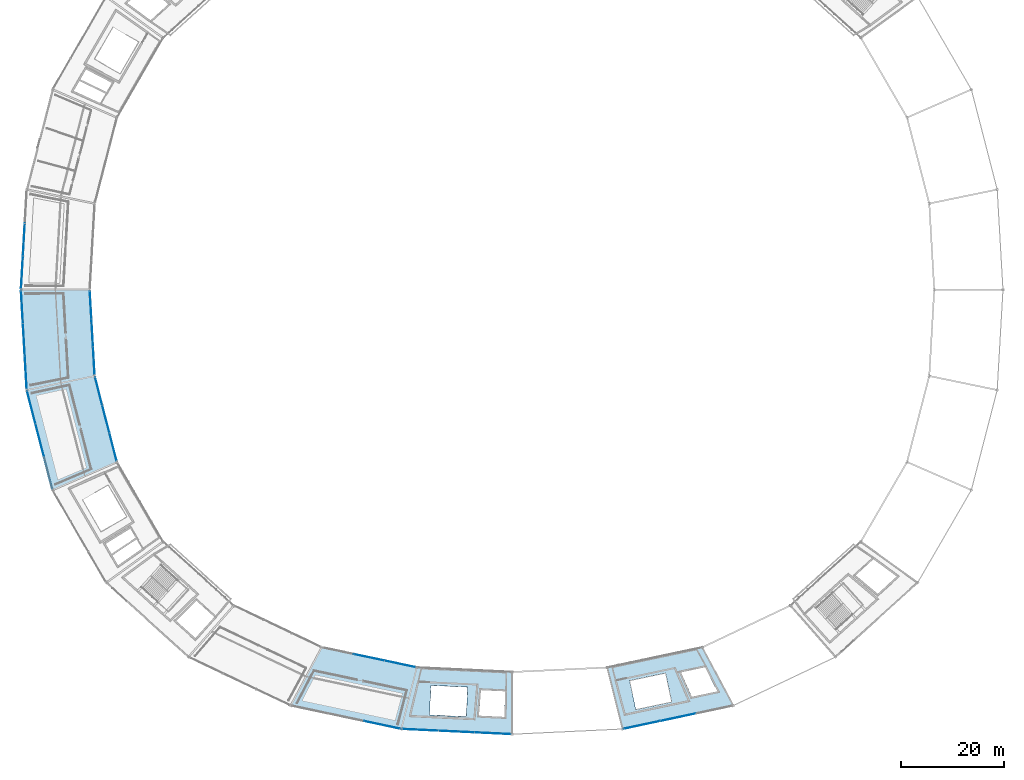
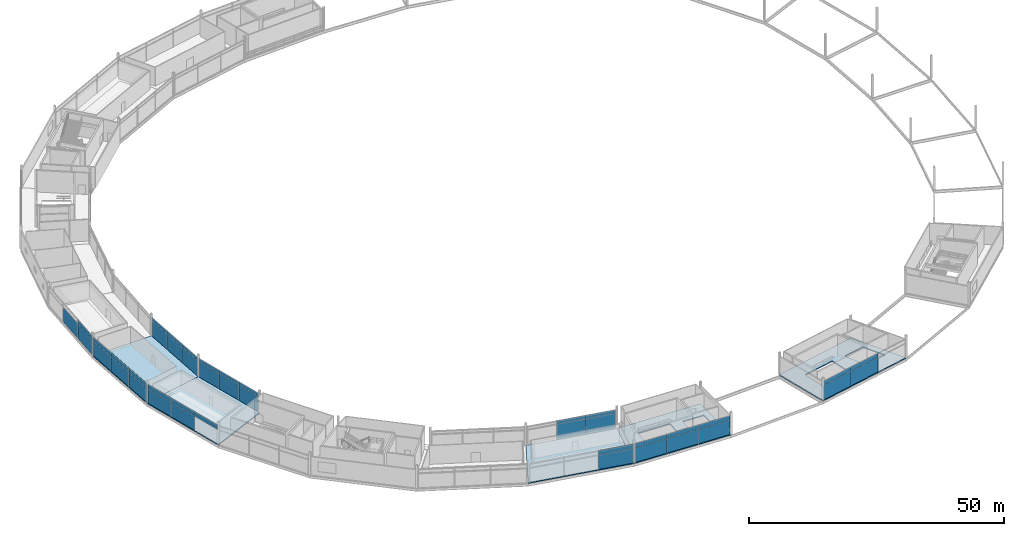
# One storey, part 64 of 86: 42 plates, 5 slabs, 9 elements without a shape of their own.
"""IFC4 building model written with IfcOpenShell, lengths in metres."""

from ifc_helpers import new_model, si_unit, direction, frame, origin, origin_2d, place, context, subcontext, project, spatial, polyline, rectangle, outline, extrude, material, layer, layer_set, type_object, element, aggregate, save


model = new_model("IFC4")

# Units and contexts
model_context = context("Model", 3, precision=1e-05, world=origin(), true_north=direction((0.0, 1.0)))
body_context = subcontext(model_context, "Body", "Model", "MODEL_VIEW")
ifc_project = project(units=[si_unit("LENGTHUNIT", "METRE"), si_unit("AREAUNIT", "SQUARE_METRE"), si_unit("VOLUMEUNIT", "CUBIC_METRE"), si_unit("PLANEANGLEUNIT", "RADIAN"), si_unit("MASSUNIT", "GRAM", prefix="KILO")], contexts=[model_context])

# Site, building, storey
site_placement = place(None, origin())
site = spatial("IfcSite", under=ifc_project, at=site_placement, CompositionType="ELEMENT")
building_placement = place(site_placement, origin())
building = spatial("IfcBuilding", under=site, at=building_placement, Name="Kazemori Nagisa Stadium", CompositionType="ELEMENT")
storey_placement = place(building_placement, frame((0.0, 0.0, 31.280029296875)))
storey = spatial("IfcBuildingStorey", under=building, at=storey_placement, Name="L06", CompositionType="ELEMENT", Elevation=31.280029296875)

# Curtain wall, plates
ifc_material_1 = material(Name="Anodised aluminium 6063-T5", Category="aluminium")
ifc_layer_1 = layer(ifc_material_1, 0.239990234375, Name="Anodised aluminium 6063-T5", Category="aluminium")
ifc_layer_set_1 = layer_set([ifc_layer_1], Name="Anodised aluminium 6063-T5")
curtain_wall_type_1 = type_object("IfcCurtainWallType", Name="CW_L06G_81", PredefinedType="USERDEFINED", material=ifc_layer_set_1)
curtain_wall_1_placement = place(storey_placement, origin())
curtain_wall_1 = element("IfcCurtainWall", 1, at=curtain_wall_1_placement, inside=storey, type_object=curtain_wall_type_1, Name="Unitised curtain wall CW-L06G-81 L06", ObjectType="UNITISED CURTAIN WALL", PredefinedType="USERDEFINED")
ifc_material_2 = material(Name="Anodised aluminium spandrel sheet", Category="aluminium")
ifc_layer_2 = layer(ifc_material_2, 0.050048828125, Name="Anodised aluminium spandrel sheet", Category="aluminium")
ifc_layer_set_2 = layer_set([ifc_layer_2], Name="Anodised aluminium spandrel sheet")
plate_type_1 = type_object("IfcPlateType", Name="CWPanel_SPN_L06G_81", PredefinedType="CURTAIN_PANEL", material=ifc_layer_set_2)
plate_1_placement = place(storey_placement, frame((41.471435546875, 99.030029296875, 3.6982421875), z_axis=(0.0, 0.0, 1.0), x_axis=(0.057601670941, -0.998339645364, 0.0)))
plate_1 = element("IfcPlate", 2, at=plate_1_placement, type_object=plate_type_1, Name="Curtain wall spandrel panel CW-L06G-81-S1", PredefinedType="CURTAIN_PANEL", context=body_context, shape_type="SweptSolid", body=[
    extrude(rectangle(XDim=5.35595703125, YDim=0.050048828125, at=origin_2d()), origin(), (0.0, 0.0, 1.0), 0.811767578125),
])
plate_2_placement = place(storey_placement, frame((41.78125, 93.658935546875, 3.6982421875), z_axis=(0.0, 0.0, 1.0), x_axis=(0.057601670941, -0.998339645364, 0.0)))
plate_2 = element("IfcPlate", 3, at=plate_2_placement, type_object=plate_type_1, Name="Curtain wall spandrel panel CW-L06G-81-S2", PredefinedType="CURTAIN_PANEL", context=body_context, shape_type="SweptSolid", body=[
    extrude(rectangle(XDim=5.35595703125, YDim=0.050048828125, at=origin_2d()), origin(), (0.0, 0.0, 1.0), 0.811767578125),
])
plate_3_placement = place(storey_placement, frame((42.091064453125, 88.2880859375, 3.6982421875), z_axis=(0.0, 0.0, 1.0), x_axis=(0.057601670941, -0.998339645364, 0.0)))
plate_3 = element("IfcPlate", 4, at=plate_3_placement, type_object=plate_type_1, Name="Curtain wall spandrel panel CW-L06G-81-S3", PredefinedType="CURTAIN_PANEL", context=body_context, shape_type="SweptSolid", body=[
    extrude(rectangle(XDim=5.35595703125, YDim=0.050048828125, at=origin_2d()), origin(), (0.0, 0.0, 1.0), 0.811767578125),
])

ifc_layer_3 = layer(ifc_material_1, 0.239990234375, Name="Anodised aluminium 6063-T5", Category="aluminium")
ifc_layer_set_3 = layer_set([ifc_layer_3], Name="Anodised aluminium 6063-T5")
curtain_wall_type_2 = type_object("IfcCurtainWallType", Name="CW_L06G_83", PredefinedType="USERDEFINED", material=ifc_layer_set_3)
curtain_wall_2_placement = place(storey_placement, origin())
curtain_wall_2 = element("IfcCurtainWall", 5, at=curtain_wall_2_placement, inside=storey, type_object=curtain_wall_type_2, Name="Unitised curtain wall CW-L06G-83 L06", ObjectType="UNITISED CURTAIN WALL", PredefinedType="USERDEFINED")
ifc_layer_4 = layer(ifc_material_2, 0.050048828125, Name="Anodised aluminium spandrel sheet", Category="aluminium")
ifc_layer_set_4 = layer_set([ifc_layer_4], Name="Anodised aluminium spandrel sheet")
plate_type_2 = type_object("IfcPlateType", Name="CWPanel_SPN_L06G_83", PredefinedType="CURTAIN_PANEL", material=ifc_layer_set_4)
plate_4_placement = place(storey_placement, frame((43.026123046875, 82.3603515625, 3.6982421875), z_axis=(0.0, 0.0, 1.0), x_axis=(0.249964642418, -0.968254965152, 0.0)))
plate_4 = element("IfcPlate", 6, at=plate_4_placement, type_object=plate_type_2, Name="Curtain wall spandrel panel CW-L06G-83-S1", PredefinedType="CURTAIN_PANEL", context=body_context, shape_type="SweptSolid", body=[
    extrude(rectangle(XDim=5.515380859375, YDim=0.050048828125, at=origin_2d()), origin(), (0.0, 0.0, 1.0), 0.811767578125),
])
plate_5_placement = place(storey_placement, frame((44.41064453125, 76.99658203125, 3.6982421875), z_axis=(0.0, 0.0, 1.0), x_axis=(0.249964642418, -0.968254965152, 0.0)))
plate_5 = element("IfcPlate", 7, at=plate_5_placement, type_object=plate_type_2, Name="Curtain wall spandrel panel CW-L06G-83-S2", PredefinedType="CURTAIN_PANEL", context=body_context, shape_type="SweptSolid", body=[
    extrude(rectangle(XDim=5.515380859375, YDim=0.050048828125, at=origin_2d()), origin(), (0.0, 0.0, 1.0), 0.811767578125),
])
plate_6_placement = place(storey_placement, frame((45.79541015625, 71.633056640625, 3.6982421875), z_axis=(0.0, 0.0, 1.0), x_axis=(0.249964642418, -0.968254965152, 0.0)))
plate_6 = element("IfcPlate", 8, at=plate_6_placement, type_object=plate_type_2, Name="Curtain wall spandrel panel CW-L06G-83-S3", PredefinedType="CURTAIN_PANEL", context=body_context, shape_type="SweptSolid", body=[
    extrude(rectangle(XDim=5.515380859375, YDim=0.050048828125, at=origin_2d()), origin(), (0.0, 0.0, 1.0), 0.811767578125),
])

ifc_layer_5 = layer(ifc_material_1, 0.239990234375, Name="Anodised aluminium 6063-T5", Category="aluminium")
ifc_layer_set_5 = layer_set([ifc_layer_5], Name="Anodised aluminium 6063-T5")
curtain_wall_type_3 = type_object("IfcCurtainWallType", Name="CW_L06G_91", PredefinedType="USERDEFINED", material=ifc_layer_set_5)
curtain_wall_3_placement = place(storey_placement, origin())
curtain_wall_3 = element("IfcCurtainWall", 9, at=curtain_wall_3_placement, inside=storey, type_object=curtain_wall_type_3, Name="Unitised curtain wall CW-L06G-91 L06", ObjectType="UNITISED CURTAIN WALL", PredefinedType="USERDEFINED")
ifc_layer_6 = layer(ifc_material_2, 0.050048828125, Name="Anodised aluminium spandrel sheet", Category="aluminium")
ifc_layer_set_6 = layer_set([ifc_layer_6], Name="Anodised aluminium spandrel sheet")
plate_type_3 = type_object("IfcPlateType", Name="CWPanel_SPN_L06G_91", PredefinedType="CURTAIN_PANEL", material=ifc_layer_set_6)
plate_7_placement = place(storey_placement, frame((95.380126953125, 30.85595703125, 3.6982421875), z_axis=(0.0, 0.0, 1.0), x_axis=(0.978344955407, -0.206981033502, 0.0)))
plate_7 = element("IfcPlate", 10, at=plate_7_placement, type_object=plate_type_3, Name="Curtain wall spandrel panel CW-L06G-91-S2", PredefinedType="CURTAIN_PANEL", context=body_context, shape_type="SweptSolid", body=[
    extrude(rectangle(XDim=6.049560546875, YDim=0.050048828125, at=origin_2d()), origin(), (0.0, 0.0, 1.0), 0.811767578125),
])
plate_8_placement = place(storey_placement, frame((101.322265625, 29.598876953125, 3.6982421875), z_axis=(0.0, 0.0, 1.0), x_axis=(0.978344955407, -0.206981033502, 0.0)))
plate_8 = element("IfcPlate", 11, at=plate_8_placement, type_object=plate_type_3, Name="Curtain wall spandrel panel CW-L06G-91-S3", PredefinedType="CURTAIN_PANEL", context=body_context, shape_type="SweptSolid", body=[
    extrude(rectangle(XDim=6.049560546875, YDim=0.050048828125, at=origin_2d()), origin(), (0.0, 0.0, 1.0), 0.811767578125),
])

ifc_layer_7 = layer(ifc_material_1, 0.239990234375, Name="Anodised aluminium 6063-T5", Category="aluminium")
ifc_layer_set_7 = layer_set([ifc_layer_7], Name="Anodised aluminium 6063-T5")
curtain_wall_type_4 = type_object("IfcCurtainWallType", Name="CW_L06R3_105", PredefinedType="USERDEFINED", material=ifc_layer_set_7)
curtain_wall_4_placement = place(storey_placement, origin())
curtain_wall_4 = element("IfcCurtainWall", 12, at=curtain_wall_4_placement, inside=storey, type_object=curtain_wall_type_4, Name="Unitised curtain wall CW-L06R3-105 L06", ObjectType="UNITISED CURTAIN WALL", PredefinedType="USERDEFINED")
ifc_layer_8 = layer(ifc_material_2, 0.053955078125, Name="Anodised aluminium spandrel sheet", Category="aluminium")
ifc_layer_set_8 = layer_set([ifc_layer_8], Name="Anodised aluminium spandrel sheet")
plate_type_4 = type_object("IfcPlateType", Name="CWPanel_SPN_L06R3_105", PredefinedType="CURTAIN_PANEL", material=ifc_layer_set_8)
plate_9_placement = place(storey_placement, frame((105.300048828125, 16.8369140625, 3.47265625), z_axis=(0.0, 0.0, 1.0), x_axis=(0.998884022476, -0.047230388971, 0.0)))
plate_9 = element("IfcPlate", 13, at=plate_9_placement, type_object=plate_type_4, Name="Curtain wall spandrel panel CW-L06R3-105-S1", PredefinedType="CURTAIN_PANEL", context=body_context, shape_type="SweptSolid", body=[
    extrude(rectangle(XDim=6.969970703125, YDim=0.053955078125, at=origin_2d()), origin(), (0.0, 0.0, 1.0), 1.037353515625),
])
plate_10_placement = place(storey_placement, frame((112.2861328125, 16.506591796875, 3.47265625), z_axis=(0.0, 0.0, 1.0), x_axis=(0.998884022476, -0.047230388971, 0.0)))
plate_10 = element("IfcPlate", 14, at=plate_10_placement, type_object=plate_type_4, Name="Curtain wall spandrel panel CW-L06R3-105-S2", PredefinedType="CURTAIN_PANEL", context=body_context, shape_type="SweptSolid", body=[
    extrude(rectangle(XDim=6.969970703125, YDim=0.053955078125, at=origin_2d()), origin(), (0.0, 0.0, 1.0), 1.037353515625),
])
plate_11_placement = place(storey_placement, frame((119.272216796875, 16.17626953125, 3.47265625), z_axis=(0.0, 0.0, 1.0), x_axis=(0.998884022476, -0.047230388971, 0.0)))
plate_11 = element("IfcPlate", 15, at=plate_11_placement, type_object=plate_type_4, Name="Curtain wall spandrel panel CW-L06R3-105-S3", PredefinedType="CURTAIN_PANEL", context=body_context, shape_type="SweptSolid", body=[
    extrude(rectangle(XDim=6.969970703125, YDim=0.053955078125, at=origin_2d()), origin(), (0.0, 0.0, 1.0), 1.037353515625),
])

# Curtain wall, plate
ifc_layer_9 = layer(ifc_material_1, 0.239990234375, Name="Anodised aluminium 6063-T5", Category="aluminium")
ifc_layer_set_9 = layer_set([ifc_layer_9], Name="Anodised aluminium 6063-T5")
curtain_wall_type_5 = type_object("IfcCurtainWallType", Name="CW_L06R3_107", PredefinedType="USERDEFINED", material=ifc_layer_set_9)
curtain_wall_5_placement = place(storey_placement, origin())
curtain_wall_5 = element("IfcCurtainWall", 16, at=curtain_wall_5_placement, inside=storey, type_object=curtain_wall_type_5, Name="Unitised curtain wall CW-L06R3-107 L06", ObjectType="UNITISED CURTAIN WALL", PredefinedType="USERDEFINED")
ifc_layer_10 = layer(ifc_material_2, 0.053955078125, Name="Anodised aluminium spandrel sheet", Category="aluminium")
ifc_layer_set_10 = layer_set([ifc_layer_10], Name="Anodised aluminium spandrel sheet")
plate_type_5 = type_object("IfcPlateType", Name="CWPanel_SPN_L06R3_107", PredefinedType="CURTAIN_PANEL", material=ifc_layer_set_10)
plate_12_placement = place(storey_placement, frame((97.856201171875, 17.79931640625, 3.47265625), z_axis=(0.0, 0.0, 1.0), x_axis=(0.978344955407, -0.206981033502, 0.0)))
plate_12 = element("IfcPlate", 17, at=plate_12_placement, type_object=plate_type_5, Name="Curtain wall spandrel panel CW-L06R3-107-S3", PredefinedType="CURTAIN_PANEL", context=body_context, shape_type="SweptSolid", body=[
    extrude(rectangle(XDim=7.102783203125, YDim=0.053955078125, at=origin_2d()), origin(), (0.0, 0.0, 1.0), 1.037353515625),
])

# Curtain wall, plates
curtain_wall_6_placement = place(storey_placement, origin())
curtain_wall_6 = element("IfcCurtainWall", 18, at=curtain_wall_6_placement, inside=storey, type_object=curtain_wall_type_5, Name="Unitised curtain wall CW-L06R3-107 L06", ObjectType="UNITISED CURTAIN WALL", PredefinedType="USERDEFINED")
plate_13_placement = place(storey_placement, frame((148.143798828125, 17.79931640625, 3.47265625), z_axis=(0.0, 0.0, 1.0), x_axis=(0.978344955407, 0.206981033502, 0.0)))
plate_13 = element("IfcPlate", 19, at=plate_13_placement, type_object=plate_type_5, Name="Curtain wall spandrel panel CW-L06R3-107-S1", PredefinedType="CURTAIN_PANEL", context=body_context, shape_type="SweptSolid", body=[
    extrude(rectangle(XDim=7.102783203125, YDim=0.053955078125, at=origin_2d()), origin(), (0.0, 0.0, 1.0), 1.037353515625),
])
plate_14_placement = place(storey_placement, frame((155.1162109375, 19.2744140625, 3.47265625), z_axis=(0.0, 0.0, 1.0), x_axis=(0.978344955407, 0.206981033502, 0.0)))
plate_14 = element("IfcPlate", 20, at=plate_14_placement, type_object=plate_type_5, Name="Curtain wall spandrel panel CW-L06R3-107-S2", PredefinedType="CURTAIN_PANEL", context=body_context, shape_type="SweptSolid", body=[
    extrude(rectangle(XDim=7.102783203125, YDim=0.053955078125, at=origin_2d()), origin(), (0.0, 0.0, 1.0), 1.037353515625),
])

# Curtain wall, plate
ifc_layer_11 = layer(ifc_material_1, 0.239990234375, Name="Anodised aluminium 6063-T5", Category="aluminium")
ifc_layer_set_11 = layer_set([ifc_layer_11], Name="Anodised aluminium 6063-T5")
curtain_wall_type_6 = type_object("IfcCurtainWallType", Name="CW_L06R3_95", PredefinedType="USERDEFINED", material=ifc_layer_set_11)
curtain_wall_7_placement = place(storey_placement, origin())
curtain_wall_7 = element("IfcCurtainWall", 21, at=curtain_wall_7_placement, inside=storey, type_object=curtain_wall_type_6, Name="Unitised curtain wall CW-L06R3-95 L06", ObjectType="UNITISED CURTAIN WALL", PredefinedType="USERDEFINED")
ifc_layer_12 = layer(ifc_material_2, 0.053955078125, Name="Anodised aluminium spandrel sheet", Category="aluminium")
ifc_layer_set_12 = layer_set([ifc_layer_12], Name="Anodised aluminium spandrel sheet")
plate_type_6 = type_object("IfcPlateType", Name="CWPanel_SPN_L06R3_95", PredefinedType="CURTAIN_PANEL", material=ifc_layer_set_12)
plate_15_placement = place(storey_placement, frame((28.195556640625, 105.389404296875, 3.47265625), z_axis=(0.0, 0.0, 1.0), x_axis=(-0.057601670941, -0.998339645364, 0.0)))
plate_15 = element("IfcPlate", 22, at=plate_15_placement, type_object=plate_type_6, Name="Curtain wall spandrel panel CW-L06R3-95-S3", PredefinedType="CURTAIN_PANEL", context=body_context, shape_type="SweptSolid", body=[
    extrude(rectangle(XDim=6.2958984375, YDim=0.053955078125, at=origin_2d()), origin(), (0.0, 0.0, 1.0), 1.037353515625),
])

# Curtain wall, plates
curtain_wall_8_placement = place(storey_placement, origin())
curtain_wall_8 = element("IfcCurtainWall", 23, at=curtain_wall_8_placement, inside=storey, type_object=curtain_wall_type_6, Name="Unitised curtain wall CW-L06R3-95 L06", ObjectType="UNITISED CURTAIN WALL", PredefinedType="USERDEFINED")
plate_16_placement = place(storey_placement, frame((28.195556640625, 98.610595703125, 3.47265625), z_axis=(0.0, 0.0, 1.0), x_axis=(0.057601670941, -0.998339645364, 0.0)))
plate_16 = element("IfcPlate", 24, at=plate_16_placement, type_object=plate_type_6, Name="Curtain wall spandrel panel CW-L06R3-95-S1", PredefinedType="CURTAIN_PANEL", context=body_context, shape_type="SweptSolid", body=[
    extrude(rectangle(XDim=6.2958984375, YDim=0.053955078125, at=origin_2d()), origin(), (0.0, 0.0, 1.0), 1.037353515625),
])
plate_17_placement = place(storey_placement, frame((28.5595703125, 92.30126953125, 3.47265625), z_axis=(0.0, 0.0, 1.0), x_axis=(0.057601670941, -0.998339645364, 0.0)))
plate_17 = element("IfcPlate", 25, at=plate_17_placement, type_object=plate_type_6, Name="Curtain wall spandrel panel CW-L06R3-95-S2", PredefinedType="CURTAIN_PANEL", context=body_context, shape_type="SweptSolid", body=[
    extrude(rectangle(XDim=6.2958984375, YDim=0.053955078125, at=origin_2d()), origin(), (0.0, 0.0, 1.0), 1.037353515625),
])
plate_18_placement = place(storey_placement, frame((28.923583984375, 85.99169921875, 3.47265625), z_axis=(0.0, 0.0, 1.0), x_axis=(0.057601670941, -0.998339645364, 0.0)))
plate_18 = element("IfcPlate", 26, at=plate_18_placement, type_object=plate_type_6, Name="Curtain wall spandrel panel CW-L06R3-95-S3", PredefinedType="CURTAIN_PANEL", context=body_context, shape_type="SweptSolid", body=[
    extrude(rectangle(XDim=6.2958984375, YDim=0.053955078125, at=origin_2d()), origin(), (0.0, 0.0, 1.0), 1.037353515625),
])

ifc_layer_13 = layer(ifc_material_1, 0.239990234375, Name="Anodised aluminium 6063-T5", Category="aluminium")
ifc_layer_set_13 = layer_set([ifc_layer_13], Name="Anodised aluminium 6063-T5")
curtain_wall_type_7 = type_object("IfcCurtainWallType", Name="CW_L06R3_98", PredefinedType="USERDEFINED", material=ifc_layer_set_13)
curtain_wall_9_placement = place(storey_placement, origin())
curtain_wall_9 = element("IfcCurtainWall", 27, at=curtain_wall_9_placement, inside=storey, type_object=curtain_wall_type_7, Name="Unitised curtain wall CW-L06R3-98 L06", ObjectType="UNITISED CURTAIN WALL", PredefinedType="USERDEFINED")
ifc_layer_14 = layer(ifc_material_2, 0.053955078125, Name="Anodised aluminium spandrel sheet", Category="aluminium")
ifc_layer_set_14 = layer_set([ifc_layer_14], Name="Anodised aluminium spandrel sheet")
plate_type_7 = type_object("IfcPlateType", Name="CWPanel_SPN_L06R3_98", PredefinedType="CURTAIN_PANEL", material=ifc_layer_set_14)
plate_19_placement = place(storey_placement, frame((29.990966796875, 79.225341796875, 3.47265625), z_axis=(0.0, 0.0, 1.0), x_axis=(0.249964642418, -0.968254965152, 0.0)))
plate_19 = element("IfcPlate", 28, at=plate_19_placement, type_object=plate_type_7, Name="Curtain wall spandrel panel CW-L06R3-98-S1", PredefinedType="CURTAIN_PANEL", context=body_context, shape_type="SweptSolid", body=[
    extrude(rectangle(XDim=6.4814453125, YDim=0.053955078125, at=origin_2d()), origin(), (0.0, 0.0, 1.0), 1.037353515625),
])
plate_20_placement = place(storey_placement, frame((31.6171875, 72.92626953125, 3.47265625), z_axis=(0.0, 0.0, 1.0), x_axis=(0.249964642418, -0.968254965152, 0.0)))
plate_20 = element("IfcPlate", 29, at=plate_20_placement, type_object=plate_type_7, Name="Curtain wall spandrel panel CW-L06R3-98-S2", PredefinedType="CURTAIN_PANEL", context=body_context, shape_type="SweptSolid", body=[
    extrude(rectangle(XDim=6.4814453125, YDim=0.053955078125, at=origin_2d()), origin(), (0.0, 0.0, 1.0), 1.037353515625),
])
plate_21_placement = place(storey_placement, frame((33.2431640625, 66.62744140625, 3.47265625), z_axis=(0.0, 0.0, 1.0), x_axis=(0.249964642418, -0.968254965152, 0.0)))
plate_21 = element("IfcPlate", 30, at=plate_21_placement, type_object=plate_type_7, Name="Curtain wall spandrel panel CW-L06R3-98-S3", PredefinedType="CURTAIN_PANEL", context=body_context, shape_type="SweptSolid", body=[
    extrude(rectangle(XDim=6.4814453125, YDim=0.053955078125, at=origin_2d()), origin(), (0.0, 0.0, 1.0), 1.037353515625),
])

# Plate
ifc_material_3 = material(Name="Low-e laminated double glazing", Category="glass")
ifc_layer_15 = layer(ifc_material_3, 0.0400390625, Name="Low-e laminated double glazing", Category="glass")
ifc_layer_set_15 = layer_set([ifc_layer_15], Name="Low-e laminated double glazing")
plate_type_8 = type_object("IfcPlateType", Name="CWPanel_VIS_L06G_81", PredefinedType="CURTAIN_PANEL", material=ifc_layer_set_15)
plate_22_placement = place(storey_placement, frame((41.471435546875, 99.030029296875, 0.0), z_axis=(0.0, 0.0, 1.0), x_axis=(0.057601670941, -0.998339645364, 0.0)))
plate_22 = element("IfcPlate", 31, at=plate_22_placement, type_object=plate_type_8, Name="Curtain wall vision panel CW-L06G-81-V1", PredefinedType="CURTAIN_PANEL", context=body_context, shape_type="SweptSolid", body=[
    extrude(rectangle(XDim=5.35595703125, YDim=0.0400390625, at=origin_2d()), origin(), (0.0, 0.0, 1.0), 3.6982421875),
])

plate_23_placement = place(storey_placement, frame((41.78125, 93.658935546875, 0.0), z_axis=(0.0, 0.0, 1.0), x_axis=(0.057601670941, -0.998339645364, 0.0)))
plate_23 = element("IfcPlate", 32, at=plate_23_placement, type_object=plate_type_8, Name="Curtain wall vision panel CW-L06G-81-V2", PredefinedType="CURTAIN_PANEL", context=body_context, shape_type="SweptSolid", body=[
    extrude(rectangle(XDim=5.35595703125, YDim=0.0400390625, at=origin_2d()), origin(), (0.0, 0.0, 1.0), 3.6982421875),
])

plate_24_placement = place(storey_placement, frame((42.091064453125, 88.2880859375, 0.0), z_axis=(0.0, 0.0, 1.0), x_axis=(0.057601670941, -0.998339645364, 0.0)))
plate_24 = element("IfcPlate", 33, at=plate_24_placement, type_object=plate_type_8, Name="Curtain wall vision panel CW-L06G-81-V3", PredefinedType="CURTAIN_PANEL", context=body_context, shape_type="SweptSolid", body=[
    extrude(rectangle(XDim=5.35595703125, YDim=0.0400390625, at=origin_2d()), origin(), (0.0, 0.0, 1.0), 3.6982421875),
])

aggregate(curtain_wall_1, [plate_22, plate_1, plate_23, plate_2, plate_24, plate_3])

ifc_layer_16 = layer(ifc_material_3, 0.0400390625, Name="Low-e laminated double glazing", Category="glass")
ifc_layer_set_16 = layer_set([ifc_layer_16], Name="Low-e laminated double glazing")
plate_type_9 = type_object("IfcPlateType", Name="CWPanel_VIS_L06G_83", PredefinedType="CURTAIN_PANEL", material=ifc_layer_set_16)
plate_25_placement = place(storey_placement, frame((43.026123046875, 82.3603515625, 0.0), z_axis=(0.0, 0.0, 1.0), x_axis=(0.249964642418, -0.968254965152, 0.0)))
plate_25 = element("IfcPlate", 34, at=plate_25_placement, type_object=plate_type_9, Name="Curtain wall vision panel CW-L06G-83-V1", PredefinedType="CURTAIN_PANEL", context=body_context, shape_type="SweptSolid", body=[
    extrude(rectangle(XDim=5.515380859375, YDim=0.0400390625, at=origin_2d()), origin(), (0.0, 0.0, 1.0), 3.6982421875),
])

plate_26_placement = place(storey_placement, frame((44.41064453125, 76.99658203125, 0.0), z_axis=(0.0, 0.0, 1.0), x_axis=(0.249964642418, -0.968254965152, 0.0)))
plate_26 = element("IfcPlate", 35, at=plate_26_placement, type_object=plate_type_9, Name="Curtain wall vision panel CW-L06G-83-V2", PredefinedType="CURTAIN_PANEL", context=body_context, shape_type="SweptSolid", body=[
    extrude(rectangle(XDim=5.515380859375, YDim=0.0400390625, at=origin_2d()), origin(), (0.0, 0.0, 1.0), 3.6982421875),
])

plate_27_placement = place(storey_placement, frame((45.79541015625, 71.633056640625, 0.0), z_axis=(0.0, 0.0, 1.0), x_axis=(0.249964642418, -0.968254965152, 0.0)))
plate_27 = element("IfcPlate", 36, at=plate_27_placement, type_object=plate_type_9, Name="Curtain wall vision panel CW-L06G-83-V3", PredefinedType="CURTAIN_PANEL", context=body_context, shape_type="SweptSolid", body=[
    extrude(rectangle(XDim=5.515380859375, YDim=0.0400390625, at=origin_2d()), origin(), (0.0, 0.0, 1.0), 3.6982421875),
])

aggregate(curtain_wall_2, [plate_25, plate_4, plate_26, plate_5, plate_27, plate_6])

ifc_layer_17 = layer(ifc_material_3, 0.0400390625, Name="Low-e laminated double glazing", Category="glass")
ifc_layer_set_17 = layer_set([ifc_layer_17], Name="Low-e laminated double glazing")
plate_type_10 = type_object("IfcPlateType", Name="CWPanel_VIS_L06G_91", PredefinedType="CURTAIN_PANEL", material=ifc_layer_set_17)
plate_28_placement = place(storey_placement, frame((95.380126953125, 30.85595703125, 0.0), z_axis=(0.0, 0.0, 1.0), x_axis=(0.978344955407, -0.206981033502, 0.0)))
plate_28 = element("IfcPlate", 37, at=plate_28_placement, type_object=plate_type_10, Name="Curtain wall vision panel CW-L06G-91-V2", PredefinedType="CURTAIN_PANEL", context=body_context, shape_type="SweptSolid", body=[
    extrude(rectangle(XDim=6.049560546875, YDim=0.0400390625, at=origin_2d()), origin(), (0.0, 0.0, 1.0), 3.6982421875),
])

plate_29_placement = place(storey_placement, frame((101.322265625, 29.598876953125, 0.0), z_axis=(0.0, 0.0, 1.0), x_axis=(0.978344955407, -0.206981033502, 0.0)))
plate_29 = element("IfcPlate", 38, at=plate_29_placement, type_object=plate_type_10, Name="Curtain wall vision panel CW-L06G-91-V3", PredefinedType="CURTAIN_PANEL", context=body_context, shape_type="SweptSolid", body=[
    extrude(rectangle(XDim=6.049560546875, YDim=0.0400390625, at=origin_2d()), origin(), (0.0, 0.0, 1.0), 3.6982421875),
])

aggregate(curtain_wall_3, [plate_28, plate_7, plate_29, plate_8])

ifc_layer_18 = layer(ifc_material_3, 0.0380859375, Name="Low-e laminated double glazing", Category="glass")
ifc_layer_set_18 = layer_set([ifc_layer_18], Name="Low-e laminated double glazing")
plate_type_11 = type_object("IfcPlateType", Name="CWPanel_VIS_L06R3_105", PredefinedType="CURTAIN_PANEL", material=ifc_layer_set_18)
plate_30_placement = place(storey_placement, frame((105.300048828125, 16.8369140625, 0.0), z_axis=(0.0, 0.0, 1.0), x_axis=(0.998884022476, -0.047230388971, 0.0)))
plate_30 = element("IfcPlate", 39, at=plate_30_placement, type_object=plate_type_11, Name="Curtain wall vision panel CW-L06R3-105-V1", PredefinedType="CURTAIN_PANEL", context=body_context, shape_type="SweptSolid", body=[
    extrude(rectangle(XDim=6.969970703125, YDim=0.0380859375, at=origin_2d()), origin(), (0.0, 0.0, 1.0), 3.47265625),
])

plate_31_placement = place(storey_placement, frame((112.2861328125, 16.506591796875, 0.0), z_axis=(0.0, 0.0, 1.0), x_axis=(0.998884022476, -0.047230388971, 0.0)))
plate_31 = element("IfcPlate", 40, at=plate_31_placement, type_object=plate_type_11, Name="Curtain wall vision panel CW-L06R3-105-V2", PredefinedType="CURTAIN_PANEL", context=body_context, shape_type="SweptSolid", body=[
    extrude(rectangle(XDim=6.969970703125, YDim=0.0380859375, at=origin_2d()), origin(), (0.0, 0.0, 1.0), 3.47265625),
])

plate_32_placement = place(storey_placement, frame((119.272216796875, 16.17626953125, 0.0), z_axis=(0.0, 0.0, 1.0), x_axis=(0.998884022476, -0.047230388971, 0.0)))
plate_32 = element("IfcPlate", 41, at=plate_32_placement, type_object=plate_type_11, Name="Curtain wall vision panel CW-L06R3-105-V3", PredefinedType="CURTAIN_PANEL", context=body_context, shape_type="SweptSolid", body=[
    extrude(rectangle(XDim=6.969970703125, YDim=0.0380859375, at=origin_2d()), origin(), (0.0, 0.0, 1.0), 3.47265625),
])

aggregate(curtain_wall_4, [plate_30, plate_9, plate_31, plate_10, plate_32, plate_11])

ifc_layer_19 = layer(ifc_material_3, 0.0380859375, Name="Low-e laminated double glazing", Category="glass")
ifc_layer_set_19 = layer_set([ifc_layer_19], Name="Low-e laminated double glazing")
plate_type_12 = type_object("IfcPlateType", Name="CWPanel_VIS_L06R3_107", PredefinedType="CURTAIN_PANEL", material=ifc_layer_set_19)
plate_33_placement = place(storey_placement, frame((97.856201171875, 17.79931640625, 0.0), z_axis=(0.0, 0.0, 1.0), x_axis=(0.978344955407, -0.206981033502, 0.0)))
plate_33 = element("IfcPlate", 42, at=plate_33_placement, type_object=plate_type_12, Name="Curtain wall vision panel CW-L06R3-107-V3", PredefinedType="CURTAIN_PANEL", context=body_context, shape_type="SweptSolid", body=[
    extrude(rectangle(XDim=7.102783203125, YDim=0.0380859375, at=origin_2d()), origin(), (0.0, 0.0, 1.0), 3.47265625),
])

aggregate(curtain_wall_5, [plate_33, plate_12])

plate_34_placement = place(storey_placement, frame((148.143798828125, 17.79931640625, 0.0), z_axis=(0.0, 0.0, 1.0), x_axis=(0.978344955407, 0.206981033502, 0.0)))
plate_34 = element("IfcPlate", 43, at=plate_34_placement, type_object=plate_type_12, Name="Curtain wall vision panel CW-L06R3-107-V1", PredefinedType="CURTAIN_PANEL", context=body_context, shape_type="SweptSolid", body=[
    extrude(rectangle(XDim=7.102783203125, YDim=0.0380859375, at=origin_2d()), origin(), (0.0, 0.0, 1.0), 3.47265625),
])

plate_35_placement = place(storey_placement, frame((155.1162109375, 19.2744140625, 0.0), z_axis=(0.0, 0.0, 1.0), x_axis=(0.978344955407, 0.206981033502, 0.0)))
plate_35 = element("IfcPlate", 44, at=plate_35_placement, type_object=plate_type_12, Name="Curtain wall vision panel CW-L06R3-107-V2", PredefinedType="CURTAIN_PANEL", context=body_context, shape_type="SweptSolid", body=[
    extrude(rectangle(XDim=7.102783203125, YDim=0.0380859375, at=origin_2d()), origin(), (0.0, 0.0, 1.0), 3.47265625),
])

aggregate(curtain_wall_6, [plate_34, plate_13, plate_35, plate_14])

ifc_layer_20 = layer(ifc_material_3, 0.0380859375, Name="Low-e laminated double glazing", Category="glass")
ifc_layer_set_20 = layer_set([ifc_layer_20], Name="Low-e laminated double glazing")
plate_type_13 = type_object("IfcPlateType", Name="CWPanel_VIS_L06R3_95", PredefinedType="CURTAIN_PANEL", material=ifc_layer_set_20)
plate_36_placement = place(storey_placement, frame((28.5595703125, 111.69873046875, 0.0), z_axis=(0.0, 0.0, 1.0), x_axis=(-0.057601670941, -0.998339645364, 0.0)))
plate_36 = element("IfcPlate", 45, at=plate_36_placement, type_object=plate_type_13, Name="Curtain wall vision panel CW-L06R3-95-V2", PredefinedType="CURTAIN_PANEL", context=body_context, shape_type="SweptSolid", body=[
    extrude(rectangle(XDim=6.2958984375, YDim=0.0380859375, at=origin_2d()), origin(), (0.0, 0.0, 1.0), 3.47265625),
])

plate_37_placement = place(storey_placement, frame((28.195556640625, 105.389404296875, 0.0), z_axis=(0.0, 0.0, 1.0), x_axis=(-0.057601670941, -0.998339645364, 0.0)))
plate_37 = element("IfcPlate", 46, at=plate_37_placement, type_object=plate_type_13, Name="Curtain wall vision panel CW-L06R3-95-V3", PredefinedType="CURTAIN_PANEL", context=body_context, shape_type="SweptSolid", body=[
    extrude(rectangle(XDim=6.2958984375, YDim=0.0380859375, at=origin_2d()), origin(), (0.0, 0.0, 1.0), 3.47265625),
])

aggregate(curtain_wall_7, [plate_36, plate_37, plate_15])

plate_38_placement = place(storey_placement, frame((28.195556640625, 98.610595703125, 0.0), z_axis=(0.0, 0.0, 1.0), x_axis=(0.057601670941, -0.998339645364, 0.0)))
plate_38 = element("IfcPlate", 47, at=plate_38_placement, type_object=plate_type_13, Name="Curtain wall vision panel CW-L06R3-95-V1", PredefinedType="CURTAIN_PANEL", context=body_context, shape_type="SweptSolid", body=[
    extrude(rectangle(XDim=6.2958984375, YDim=0.0380859375, at=origin_2d()), origin(), (0.0, 0.0, 1.0), 3.47265625),
])

plate_39_placement = place(storey_placement, frame((28.5595703125, 92.30126953125, 0.0), z_axis=(0.0, 0.0, 1.0), x_axis=(0.057601670941, -0.998339645364, 0.0)))
plate_39 = element("IfcPlate", 48, at=plate_39_placement, type_object=plate_type_13, Name="Curtain wall vision panel CW-L06R3-95-V2", PredefinedType="CURTAIN_PANEL", context=body_context, shape_type="SweptSolid", body=[
    extrude(rectangle(XDim=6.2958984375, YDim=0.0380859375, at=origin_2d()), origin(), (0.0, 0.0, 1.0), 3.47265625),
])

plate_40_placement = place(storey_placement, frame((28.923583984375, 85.99169921875, 0.0), z_axis=(0.0, 0.0, 1.0), x_axis=(0.057601670941, -0.998339645364, 0.0)))
plate_40 = element("IfcPlate", 49, at=plate_40_placement, type_object=plate_type_13, Name="Curtain wall vision panel CW-L06R3-95-V3", PredefinedType="CURTAIN_PANEL", context=body_context, shape_type="SweptSolid", body=[
    extrude(rectangle(XDim=6.2958984375, YDim=0.0380859375, at=origin_2d()), origin(), (0.0, 0.0, 1.0), 3.47265625),
])

aggregate(curtain_wall_8, [plate_38, plate_16, plate_39, plate_17, plate_40, plate_18])

ifc_layer_21 = layer(ifc_material_3, 0.0380859375, Name="Low-e laminated double glazing", Category="glass")
ifc_layer_set_21 = layer_set([ifc_layer_21], Name="Low-e laminated double glazing")
plate_type_14 = type_object("IfcPlateType", Name="CWPanel_VIS_L06R3_98", PredefinedType="CURTAIN_PANEL", material=ifc_layer_set_21)
plate_41_placement = place(storey_placement, frame((29.990966796875, 79.225341796875, 0.0), z_axis=(0.0, 0.0, 1.0), x_axis=(0.249964642418, -0.968254965152, 0.0)))
plate_41 = element("IfcPlate", 50, at=plate_41_placement, type_object=plate_type_14, Name="Curtain wall vision panel CW-L06R3-98-V1", PredefinedType="CURTAIN_PANEL", context=body_context, shape_type="SweptSolid", body=[
    extrude(rectangle(XDim=6.4814453125, YDim=0.0380859375, at=origin_2d()), origin(), (0.0, 0.0, 1.0), 3.47265625),
])

plate_42_placement = place(storey_placement, frame((31.6171875, 72.92626953125, 0.0), z_axis=(0.0, 0.0, 1.0), x_axis=(0.249964642418, -0.968254965152, 0.0)))
plate_42 = element("IfcPlate", 51, at=plate_42_placement, type_object=plate_type_14, Name="Curtain wall vision panel CW-L06R3-98-V2", PredefinedType="CURTAIN_PANEL", context=body_context, shape_type="SweptSolid", body=[
    extrude(rectangle(XDim=6.4814453125, YDim=0.0380859375, at=origin_2d()), origin(), (0.0, 0.0, 1.0), 3.47265625),
])

aggregate(curtain_wall_9, [plate_41, plate_19, plate_42, plate_20, plate_21])

# Slabs
ifc_material_4 = material(Name="Concrete C36/45 (Fc36)", Category="concrete")
ifc_layer_22 = layer(ifc_material_4, 0.260009765625, Name="Concrete C36/45 (Fc36)", Category="concrete")
ifc_layer_set_22 = layer_set([ifc_layer_22], Name="Concrete C36/45 (Fc36)")
slab_type = type_object("IfcSlabType", Name="Slab_SL-MEDIA-260", PredefinedType="FLOOR", material=ifc_layer_set_22)
slab_1_placement = place(storey_placement, frame((0.0, 0.0, -0.260009765625)))
element("IfcSlab", 52, at=slab_1_placement, inside=storey, type_object=slab_type, Name="Concourse floor slab L06 bay 15", PredefinedType="FLOOR", context=body_context, shape_type="SweptSolid", body=[
    extrude(outline(polyline([(41.300048828125, 102.0), (42.262451171875, 85.31787109375), (29.119140625, 82.602294921875), (28.0, 102.0), (41.300048828125, 102.0)])), origin(), (0.0, 0.0, 1.0), 0.260009765625),
])
slab_2_placement = place(storey_placement, frame((0.0, 0.0, -0.260009765625)))
element("IfcSlab", 53, at=slab_2_placement, inside=storey, type_object=slab_type, Name="Concourse floor slab L06 bay 16", PredefinedType="FLOOR", context=body_context, shape_type="SweptSolid", body=[
    extrude(outline(polyline([(42.262451171875, 85.31787109375), (46.55908203125, 68.67529296875), (34.114990234375, 63.25048828125), (29.119140625, 82.602294921875), (42.262451171875, 85.31787109375)])), origin(), (0.0, 0.0, 1.0), 0.260009765625),
])
slab_3_placement = place(storey_placement, frame((0.0, 0.0, -0.260009765625)))
element("IfcSlab", 54, at=slab_3_placement, inside=storey, type_object=slab_type, Name="Concourse floor slab L06 bay 20", PredefinedType="FLOOR", context=body_context, shape_type="SweptSolid", body=[
    extrude(outline(polyline([(86.18798828125, 32.80078125), (104.572265625, 28.911376953125), (101.572265625, 17.01318359375), (80.1953125, 21.53564453125), (86.18798828125, 32.80078125)])), origin(), (0.0, 0.0, 1.0), 0.260009765625),
])
slab_4_placement = place(storey_placement, frame((0.0, 0.0, -0.260009765625)))
element("IfcSlab", 55, at=slab_4_placement, inside=storey, type_object=slab_type, Name="Concourse floor slab L06 bay 21", PredefinedType="FLOOR", context=body_context, shape_type="SweptSolid", body=[
    extrude(outline(polyline([(104.572265625, 28.911376953125), (123.0, 28.0400390625), (123.0, 16.0), (101.572265625, 17.01318359375), (104.572265625, 28.911376953125)]), holes=[polyline([(107.32470703125, 25.434814453125), (114.411865234375, 25.099853515625), (114.142578125, 19.40625), (107.0556640625, 19.7412109375), (107.32470703125, 25.434814453125)]), polyline([(116.9951171875, 24.5400390625), (121.64404296875, 24.320068359375), (121.55712890625, 19.336181640625), (116.60986328125, 19.570068359375), (116.9951171875, 24.5400390625)])]), origin(), (0.0, 0.0, 1.0), 0.260009765625),
])
slab_5_placement = place(storey_placement, frame((0.0, 0.0, -0.260009765625)))
element("IfcSlab", 56, at=slab_5_placement, inside=storey, type_object=slab_type, Name="Concourse floor slab L06 bay 23", PredefinedType="FLOOR", context=body_context, shape_type="SweptSolid", body=[
    extrude(outline(polyline([(141.427734375, 28.911376953125), (159.81201171875, 32.80078125), (165.8046875, 21.53564453125), (144.427734375, 17.01318359375), (141.427734375, 28.911376953125)]), holes=[polyline([(145.77685546875, 26.353271484375), (152.71826171875, 27.82177734375), (153.89794921875, 22.2451171875), (146.956787109375, 20.776611328125), (145.77685546875, 26.353271484375)]), polyline([(155.704833984375, 27.992919921875), (160.3427734375, 28.97412109375), (162.738525390625, 24.288818359375), (157.802978515625, 23.24462890625), (155.704833984375, 27.992919921875)])]), origin(), (0.0, 0.0, 1.0), 0.260009765625),
])

save(model, "model.ifc")
